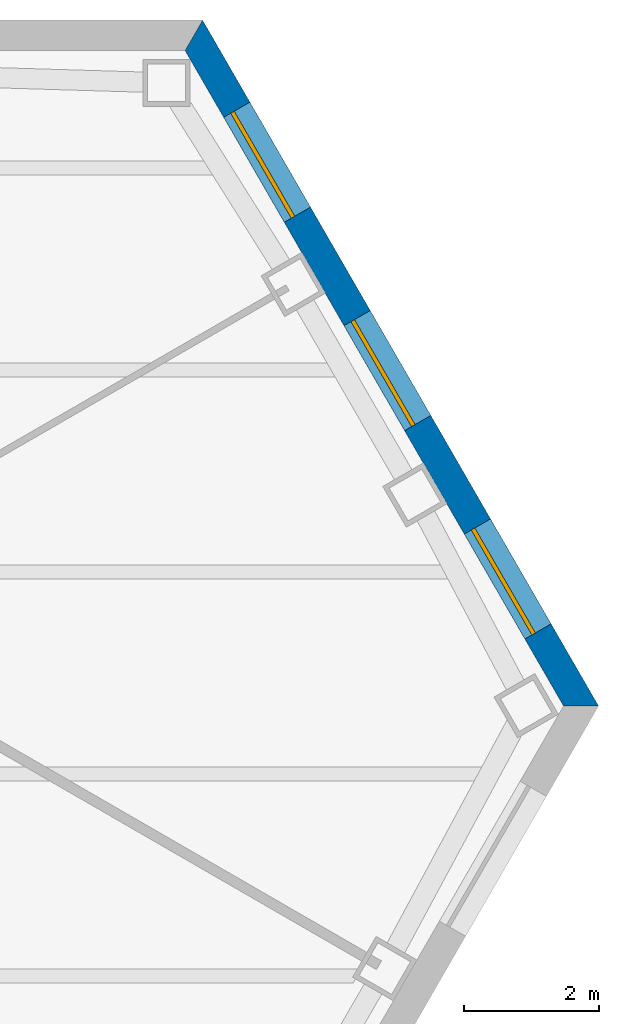
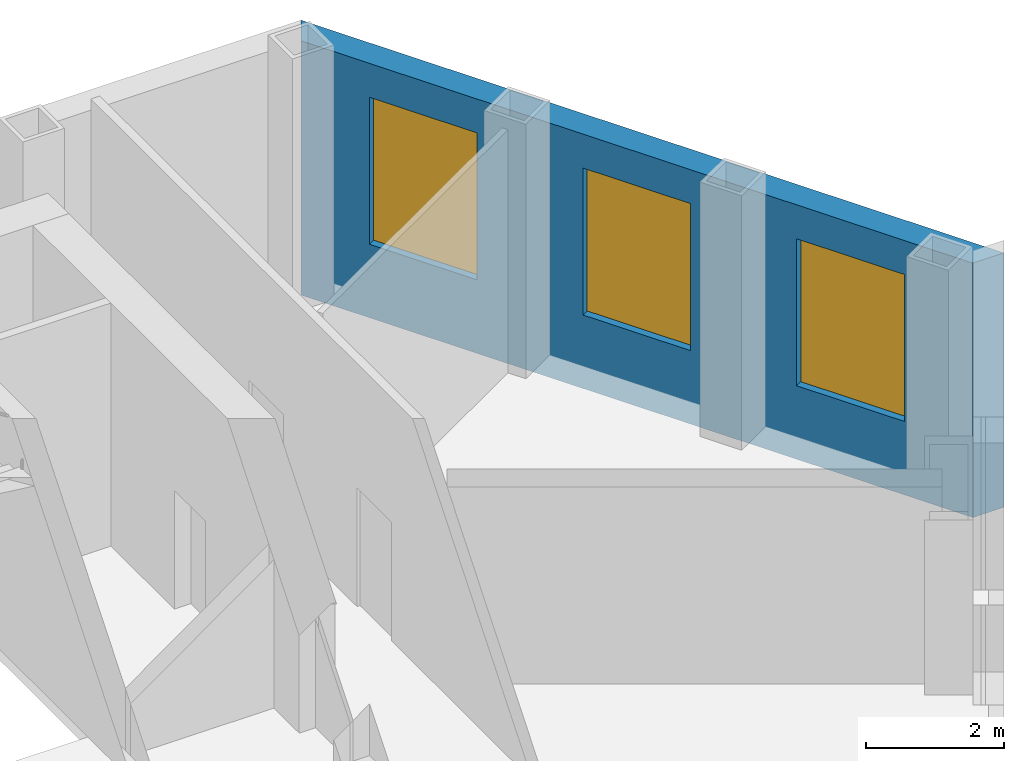
# One storey, part 8 of 11: 3 windows, 1 wall, 3 openings.
"""IFC4 building model written with IfcOpenShell, lengths in metres."""

from ifc_helpers import new_model, si_unit, direction, frame, frame_2d, origin, place, context, subcontext, project, spatial, polyline, rectangle, outline, extrude, material, layer, layer_set, type_object, element, fill, save


model = new_model("IFC4")

# Units and contexts
model_context = context("Model", 3, precision=1e-05, world=origin(), true_north=direction((0.0, 1.0)))
body_context = subcontext(model_context, "Body", "Model", "MODEL_VIEW")
ifc_project = project(units=[si_unit("LENGTHUNIT", "METRE"), si_unit("AREAUNIT", "SQUARE_METRE"), si_unit("VOLUMEUNIT", "CUBIC_METRE"), si_unit("PLANEANGLEUNIT", "RADIAN"), si_unit("MASSUNIT", "GRAM", prefix="KILO")], contexts=[model_context])

# Site, building, storey
site_placement = place(None, origin())
site = spatial("IfcSite", under=ifc_project, at=site_placement, CompositionType="ELEMENT")
building_placement = place(site_placement, origin())
building = spatial("IfcBuilding", under=site, at=building_placement, Name="Njiva Tower", CompositionType="ELEMENT")
storey_placement = place(building_placement, frame((0.0, 0.0, 42.3)))
storey = spatial("IfcBuildingStorey", under=building, at=storey_placement, Name="L08", CompositionType="ELEMENT", Elevation=42.3)

# Wall, openings, windows
ifc_material_1 = material(Name="Brick masonry, buff", Category="masonry")
ifc_layer = layer(ifc_material_1, 0.45)
ifc_layer_set = layer_set([ifc_layer], Name="Brick masonry, buff")
wall_type = type_object("IfcWallType", Name="WT94 Brick pier and spandrel wall 450, buff", PredefinedType="SOLIDWALL", material=ifc_layer_set)
wall_placement = place(storey_placement, frame((28.6214, 10.0134, -0.4), z_axis=(0.0, 0.0, 1.0), x_axis=(-0.500002460556, 0.866023983177, 0.0)))
wall = element("IfcWall", 1, at=wall_placement, inside=storey, type_object=wall_type, Name="Facade wall NE", PredefinedType="SOLIDWALL", context=body_context, shape_type="SweptSolid", body=[
    extrude(outline(polyline([(-0.1299, -0.225), (11.63, -0.225), (11.3702, 0.225), (0.1299, 0.225), (-0.1299, -0.225)])), origin(), (0.0, 0.0, 1.0), 4.5),
])
opening_1_placement = place(wall_placement, frame((1.2764, 0.0, 1.3)))
opening_1 = element("IfcOpeningElement", 2, at=opening_1_placement, cuts=wall, Name="Opening S02-W35", PredefinedType="OPENING", context=body_context, shape_type="SweptSolid", body=[
    extrude(rectangle(XDim=1.8, YDim=2.6, at=frame_2d((0.9, 1.3))), frame((0.0, 0.235, 0.0), z_axis=(0.0, -1.0, 0.0), x_axis=(1.0, 0.0, 0.0)), (0.0, 0.0, 1.0), 0.47),
])
opening_2_placement = place(wall_placement, frame((4.8501, 0.0, 1.3)))
opening_2 = element("IfcOpeningElement", 3, at=opening_2_placement, cuts=wall, Name="Opening S02-W36", PredefinedType="OPENING", context=body_context, shape_type="SweptSolid", body=[
    extrude(rectangle(XDim=1.8, YDim=2.6, at=frame_2d((0.9, 1.3))), frame((0.0, 0.235, 0.0), z_axis=(0.0, -1.0, 0.0), x_axis=(1.0, 0.0, 0.0)), (0.0, 0.0, 1.0), 0.47),
])
opening_3_placement = place(wall_placement, frame((8.4237, 0.0, 1.3)))
opening_3 = element("IfcOpeningElement", 4, at=opening_3_placement, cuts=wall, Name="Opening S02-W37", PredefinedType="OPENING", context=body_context, shape_type="SweptSolid", body=[
    extrude(rectangle(XDim=1.8, YDim=2.6, at=frame_2d((0.9, 1.3))), frame((0.0, 0.235, 0.0), z_axis=(0.0, -1.0, 0.0), x_axis=(1.0, 0.0, 0.0)), (0.0, 0.0, 1.0), 0.47),
])
ifc_material_2 = material(Name="Clear glazing in aluminium frame", Category="aluminium")
window_type = type_object("IfcWindowType", Name="W96 Deep-set window 1800x2600", PartitioningType="SINGLE_PANEL", PredefinedType="WINDOW", material=ifc_material_2)
window_1_placement = place(opening_1_placement, origin())
window_1 = element("IfcWindow", 5, at=window_1_placement, inside=storey, type_object=window_type, Name="Window", OverallHeight=2.6, OverallWidth=1.8, PartitioningType="SINGLE_PANEL", PredefinedType="WINDOW", context=body_context, shape_type="SweptSolid", body=[
    extrude(rectangle(XDim=1.8, YDim=2.6, at=frame_2d((0.9, 1.3))), frame((0.0, 0.105, 0.0), z_axis=(0.0, -1.0, 0.0), x_axis=(1.0, 0.0, 0.0)), (0.0, 0.0, 1.0), 0.06),
])
fill(opening_1, window_1)
window_2_placement = place(opening_2_placement, origin())
window_2 = element("IfcWindow", 6, at=window_2_placement, inside=storey, type_object=window_type, Name="Window", OverallHeight=2.6, OverallWidth=1.8, PartitioningType="SINGLE_PANEL", PredefinedType="WINDOW", context=body_context, shape_type="SweptSolid", body=[
    extrude(rectangle(XDim=1.8, YDim=2.6, at=frame_2d((0.9, 1.3))), frame((0.0, 0.105, 0.0), z_axis=(0.0, -1.0, 0.0), x_axis=(1.0, 0.0, 0.0)), (0.0, 0.0, 1.0), 0.06),
])
fill(opening_2, window_2)
window_3_placement = place(opening_3_placement, origin())
window_3 = element("IfcWindow", 7, at=window_3_placement, inside=storey, type_object=window_type, Name="Window", OverallHeight=2.6, OverallWidth=1.8, PartitioningType="SINGLE_PANEL", PredefinedType="WINDOW", context=body_context, shape_type="SweptSolid", body=[
    extrude(rectangle(XDim=1.8, YDim=2.6, at=frame_2d((0.9, 1.3))), frame((0.0, 0.105, 0.0), z_axis=(0.0, -1.0, 0.0), x_axis=(1.0, 0.0, 0.0)), (0.0, 0.0, 1.0), 0.06),
])
fill(opening_3, window_3)

save(model, "model.ifc")
